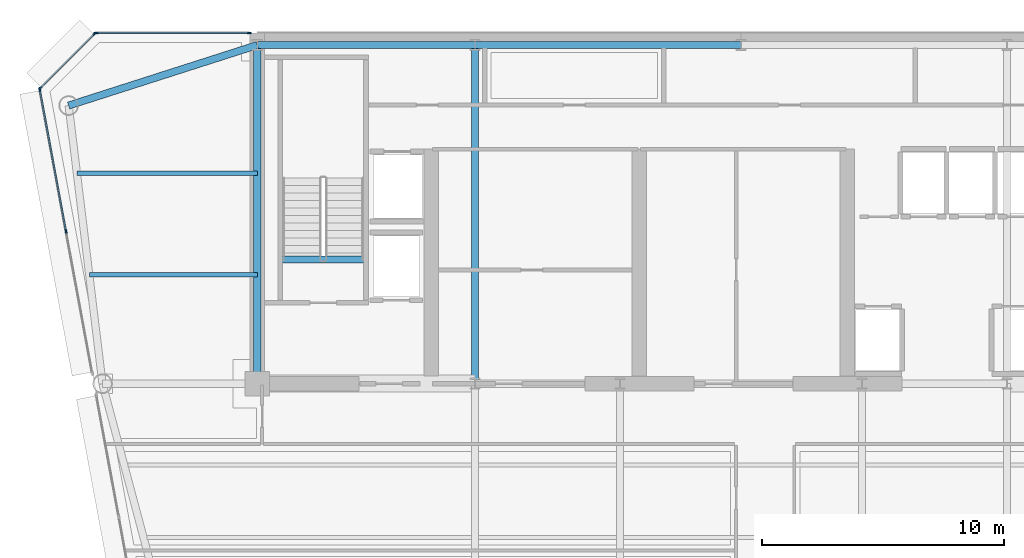
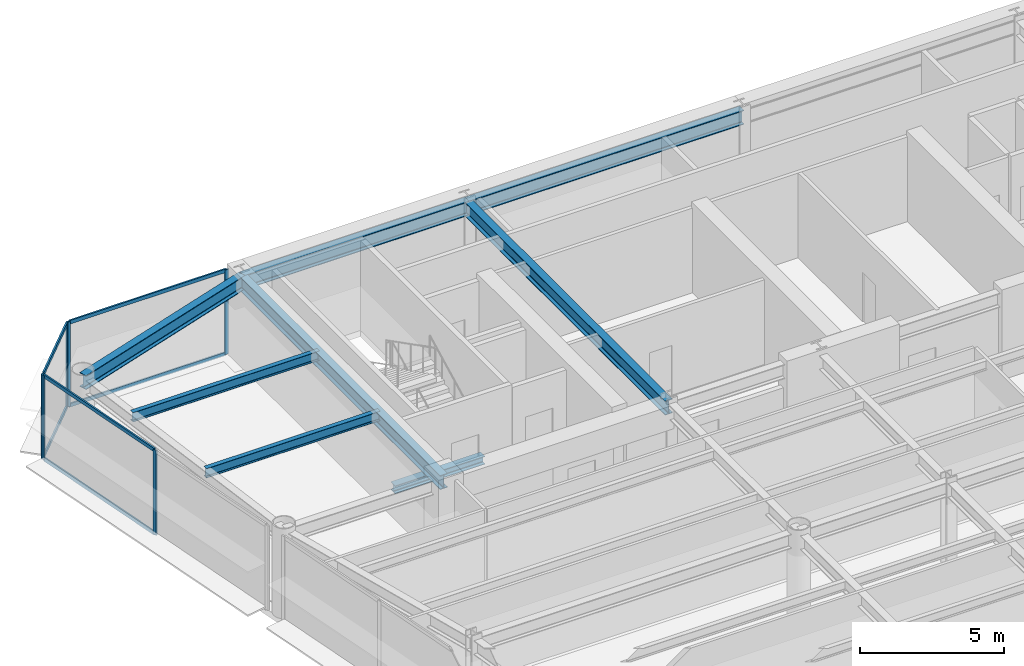
# One storey, part 8 of 16: 12 members, 8 beams, 3 elements without a shape of their own.
"""IFC4 building model written with IfcOpenShell, lengths in metres."""

from ifc_helpers import new_model, si_unit, direction, frame, origin, origin_2d, place, context, subcontext, project, spatial, rectangle, i_section, extrude, source, transform, mapped, material, layer, layer_set, material_profile, profile_set, type_object, element, aggregate, save


model = new_model("IFC4")

# Units and contexts
model_context = context("Model", 3, precision=1e-05, world=origin(), true_north=direction((0.0, 1.0)))
body_context = subcontext(model_context, "Body", "Model", "MODEL_VIEW")
ifc_project = project(units=[si_unit("LENGTHUNIT", "METRE"), si_unit("AREAUNIT", "SQUARE_METRE"), si_unit("VOLUMEUNIT", "CUBIC_METRE"), si_unit("PLANEANGLEUNIT", "RADIAN"), si_unit("MASSUNIT", "GRAM", prefix="KILO")], contexts=[model_context])

# Site, building, storey
site_placement = place(None, origin())
site = spatial("IfcSite", under=ifc_project, at=site_placement, CompositionType="ELEMENT")
building_placement = place(site_placement, origin())
building = spatial("IfcBuilding", under=site, at=building_placement, Name="Vaeldorn Concourse Tower", CompositionType="ELEMENT")
storey_placement = place(building_placement, frame((0.0, 0.0, 223.199951171875)))
storey = spatial("IfcBuildingStorey", under=building, at=storey_placement, Name="L57", CompositionType="ELEMENT", Elevation=223.199951171875)

# Beams
ifc_material_1 = material(Name="Steel S355", Category="steel")
ifc_material_profile_1 = material_profile(ifc_material_1, i_section(OverallWidth=0.300048828125, OverallDepth=0.340087890625, WebThickness=0.011962890625, FlangeThickness=0.021484375, FilletRadius=0.027099609375, at=origin_2d()), Name="HEB 340")
ifc_profile_set_1 = profile_set([ifc_material_profile_1], Name="Steel S355")
beam_type_1 = type_object("IfcBeamType", Name="BM-ST-TRIM", PredefinedType="BEAM", material=ifc_profile_set_1)
shared_shape_1 = source(origin(), body_context, "Body", "SweptSolid", [
    extrude(i_section(OverallWidth=0.300048828125, OverallDepth=0.340087890625, WebThickness=0.011962890625, FlangeThickness=0.021484375, FilletRadius=0.027099609375, at=origin_2d()), origin(), (0.0, 0.0, 1.0), 3.590087890625),
])
beam_1_placement = place(storey_placement, frame((14.929931640625, 41.639892578125, -0.429931640625), z_axis=(1.0, 0.0, 0.0), x_axis=(0.0, 1.0, 0.0)))
element("IfcBeam", 1, at=beam_1_placement, inside=storey, type_object=beam_type_1, Name="Stair Landing Trimmer Beam ST-1 L57", PredefinedType="BEAM", context=body_context, shape_type="MappedRepresentation", body=[
    mapped(shared_shape_1, transform((0.0, 0.0, 0.0), scale=1.0)),
])
ifc_material_profile_2 = material_profile(ifc_material_1, i_section(OverallWidth=0.300048828125, OverallDepth=0.60009765625, WebThickness=0.015380859375, FlangeThickness=0.030029296875, FilletRadius=0.027099609375, at=origin_2d()), Name="HEB 600")
ifc_profile_set_2 = profile_set([ifc_material_profile_2], Name="Steel S355")
beam_type_2 = type_object("IfcBeamType", Name="BM-PG-HEB600", PredefinedType="BEAM", material=ifc_profile_set_2)
shared_shape_2 = source(origin(), body_context, "Body", "SweptSolid", [
    extrude(i_section(OverallWidth=0.300048828125, OverallDepth=0.60009765625, WebThickness=0.015380859375, FlangeThickness=0.030029296875, FilletRadius=0.027099609375, at=origin_2d()), origin(), (0.0, 0.0, 1.0), 9.0),
])
beam_2_placement = place(storey_placement, frame((14.0, 50.5, 3.280029296875), z_axis=(1.0, 0.0, 0.0), x_axis=(0.0, 1.0, 0.0)))
element("IfcBeam", 2, at=beam_2_placement, inside=storey, type_object=beam_type_2, Name="Beam BM-L57-C-HC1-C-HC2", PredefinedType="BEAM", context=body_context, shape_type="MappedRepresentation", body=[
    mapped(shared_shape_2, transform((0.0, 0.0, 0.0), scale=1.0)),
])
shared_shape_3 = source(origin(), body_context, "Body", "SweptSolid", [
    extrude(i_section(OverallWidth=0.300048828125, OverallDepth=0.60009765625, WebThickness=0.015380859375, FlangeThickness=0.030029296875, FilletRadius=0.027099609375, at=origin_2d()), origin(), (0.0, 0.0, 1.0), 11.0),
])
beam_3_placement = place(storey_placement, frame((23.0, 50.5, 3.280029296875), z_axis=(1.0, 0.0, 0.0), x_axis=(0.0, 1.0, 0.0)))
element("IfcBeam", 3, at=beam_3_placement, inside=storey, type_object=beam_type_2, Name="Beam BM-L57-C-HC2-C-HC3", PredefinedType="BEAM", context=body_context, shape_type="MappedRepresentation", body=[
    mapped(shared_shape_3, transform((0.0, 0.0, 0.0), scale=1.0)),
])
shared_shape_4 = source(origin(), body_context, "Body", "SweptSolid", [
    extrude(i_section(OverallWidth=0.300048828125, OverallDepth=0.60009765625, WebThickness=0.015380859375, FlangeThickness=0.030029296875, FilletRadius=0.027099609375, at=origin_2d()), origin(), (0.0, 0.0, 1.0), 14.0),
])
for number, where, z_axis, x_axis, name in (
    (4, (14.0, 36.5, 3.280029296875), (0.0, 1.0, 0.0), (-1.0, 0.0, 0.0), "Beam BM-L57-C-FC1-C-HC1"),
    (5, (23.0, 36.5, 3.280029296875), (0.0, 1.0, 0.0), (-1.0, 0.0, 0.0), "Beam BM-L57-C-FC2-C-HC2"),
):
    element("IfcBeam", number, at=place(storey_placement, frame(where, z_axis=z_axis, x_axis=x_axis)), inside=storey, type_object=beam_type_2, Name=name, PredefinedType="BEAM", context=body_context, shape_type="MappedRepresentation", body=[
        mapped(shared_shape_4, transform((0.0, 0.0, 0.0), scale=1.0)),
    ])
shared_shape_5 = source(origin(), body_context, "Body", "SweptSolid", [
    extrude(i_section(OverallWidth=0.300048828125, OverallDepth=0.60009765625, WebThickness=0.015380859375, FlangeThickness=0.030029296875, FilletRadius=0.027099609375, at=origin_2d()), origin(), (0.0, 0.0, 1.0), 8.19091796875),
])
beam_4_placement = place(storey_placement, frame((6.199951171875, 48.0, 3.280029296875), z_axis=(0.952282843383, 0.305216949396, 0.0), x_axis=(-0.305216949396, 0.952282843383, 0.0)))
element("IfcBeam", 6, at=beam_4_placement, inside=storey, type_object=beam_type_2, Name="Beam BM-L57-C-NW1-C-HC1", PredefinedType="BEAM", context=body_context, shape_type="MappedRepresentation", body=[
    mapped(shared_shape_5, transform((0.0, 0.0, 0.0), scale=1.0)),
])
ifc_material_profile_3 = material_profile(ifc_material_1, i_section(OverallWidth=0.179931640625, OverallDepth=0.39990234375, WebThickness=0.008544921875, FlangeThickness=0.013427734375, FilletRadius=0.02099609375, at=origin_2d()), Name="IPE 400")
ifc_profile_set_3 = profile_set([ifc_material_profile_3], Name="Steel S355")
beam_type_3 = type_object("IfcBeamType", Name="BM-JS-IPE400", PredefinedType="JOIST", material=ifc_profile_set_3)
shared_shape_6 = source(origin(), body_context, "Body", "SweptSolid", [
    extrude(i_section(OverallWidth=0.179931640625, OverallDepth=0.39990234375, WebThickness=0.008544921875, FlangeThickness=0.013427734375, FilletRadius=0.02099609375, at=origin_2d()), origin(), (0.0, 0.0, 1.0), 6.94775390625),
])
beam_5_placement = place(storey_placement, frame((7.05224609375, 41.0, 3.380126953125), z_axis=(1.0, 0.0, 0.0), x_axis=(0.0, 1.0, 0.0)))
element("IfcBeam", 7, at=beam_5_placement, inside=storey, type_object=beam_type_3, Name="Beam JS-L57-NW-410", PredefinedType="JOIST", context=body_context, shape_type="MappedRepresentation", body=[
    mapped(shared_shape_6, transform((0.0, 0.0, 0.0), scale=1.0)),
])
shared_shape_7 = source(origin(), body_context, "Body", "SweptSolid", [
    extrude(i_section(OverallWidth=0.179931640625, OverallDepth=0.39990234375, WebThickness=0.008544921875, FlangeThickness=0.013427734375, FilletRadius=0.02099609375, at=origin_2d()), origin(), (0.0, 0.0, 1.0), 7.458984375),
])
beam_6_placement = place(storey_placement, frame((6.541015625, 45.199951171875, 3.380126953125), z_axis=(1.0, 0.0, 0.0), x_axis=(0.0, 1.0, 0.0)))
element("IfcBeam", 8, at=beam_6_placement, inside=storey, type_object=beam_type_3, Name="Beam JS-L57-NW-452", PredefinedType="JOIST", context=body_context, shape_type="MappedRepresentation", body=[
    mapped(shared_shape_7, transform((0.0, 0.0, 0.0), scale=1.0)),
])

# Curtain wall, members
ifc_material_2 = material(Name="Anodised Bronze Aluminium", Category="aluminium")
ifc_layer = layer(ifc_material_2, 0.179931640625)
ifc_layer_set = layer_set([ifc_layer], Name="Anodised Bronze Aluminium")
curtain_wall_type = type_object("IfcCurtainWallType", Name="CW-SYS-05", PredefinedType="NOTDEFINED", material=ifc_layer_set)
curtain_wall_1_placement = place(storey_placement, origin())
curtain_wall_1 = element("IfcCurtainWall", 9, at=curtain_wall_1_placement, inside=storey, type_object=curtain_wall_type, Name="Unitised Curtain Wall CW-L57-E10-1", PredefinedType="NOTDEFINED")
ifc_material_profile_4 = material_profile(ifc_material_2, rectangle(XDim=0.06494140625, YDim=0.14990234375, at=origin_2d()), Name="CWT 65x150")
ifc_profile_set_4 = profile_set([ifc_material_profile_4], Name="Anodised Bronze Aluminium")
member_type_1 = type_object("IfcMemberType", Name="CWT-BRONZE-150", PredefinedType="USERDEFINED", material=ifc_profile_set_4)
shared_shape_8 = source(origin(), body_context, "Body", "SweptSolid", [
    extrude(rectangle(XDim=0.06494140625, YDim=0.14990234375, at=origin_2d()), origin(), (0.0, 0.0, 1.0), 3.123046875),
])
member_1_placement = place(storey_placement, frame((7.254150390625, 50.9541015625, 0.032470703125), z_axis=(-0.707106781187, -0.707106781187, 0.0), x_axis=(0.707106781187, -0.707106781187, 0.0)))
member_1 = element("IfcMember", 10, at=member_1_placement, type_object=member_type_1, Name="CW-05 transom 1.1", ObjectType="TRANSOM", PredefinedType="USERDEFINED", context=body_context, shape_type="MappedRepresentation", body=[
    mapped(shared_shape_8, transform((0.0, 0.0, 0.0), scale=1.0)),
])
member_2_placement = place(storey_placement, frame((7.254150390625, 50.9541015625, 3.547607421875), z_axis=(-0.707106781187, -0.707106781187, 0.0), x_axis=(0.707106781187, -0.707106781187, 0.0)))
member_2 = element("IfcMember", 11, at=member_2_placement, type_object=member_type_1, Name="CW-05 transom 1.2", ObjectType="TRANSOM", PredefinedType="USERDEFINED", context=body_context, shape_type="MappedRepresentation", body=[
    mapped(shared_shape_8, transform((0.0, 0.0, 0.0), scale=1.0)),
])

curtain_wall_2_placement = place(storey_placement, origin())
curtain_wall_2 = element("IfcCurtainWall", 12, at=curtain_wall_2_placement, inside=storey, type_object=curtain_wall_type, Name="Unitised Curtain Wall CW-L57-E09-2", PredefinedType="NOTDEFINED")
ifc_material_profile_5 = material_profile(ifc_material_2, rectangle(XDim=0.06494140625, YDim=0.169921875, at=origin_2d()), Name="CWM 65x170")
ifc_profile_set_5 = profile_set([ifc_material_profile_5], Name="Anodised Bronze Aluminium")
member_type_2 = type_object("IfcMemberType", Name="CWM-BRONZE-170", PredefinedType="MULLION", material=ifc_profile_set_5)
shared_shape_9 = source(origin(), body_context, "Body", "SweptSolid", [
    extrude(rectangle(XDim=0.06494140625, YDim=0.169921875, at=origin_2d()), origin(), (0.0, 0.0, 1.0), 3.580078125),
])
member_3_placement = place(storey_placement, frame((13.672607421875, 51.0, 0.0), z_axis=(0.0, 0.0, 1.0), x_axis=(0.0, -1.0, 0.0)))
member_3 = element("IfcMember", 13, at=member_3_placement, type_object=member_type_2, Name="CW-05 mullion 1", PredefinedType="MULLION", context=body_context, shape_type="MappedRepresentation", body=[
    mapped(shared_shape_9, transform((0.0, 0.0, 0.0), scale=1.0)),
])
member_4_placement = place(storey_placement, frame((7.33251953125, 51.0, 0.0), z_axis=(0.0, 0.0, 1.0), x_axis=(0.0, -1.0, 0.0)))
member_4 = element("IfcMember", 14, at=member_4_placement, type_object=member_type_2, Name="CW-05 mullion 2", PredefinedType="MULLION", context=body_context, shape_type="MappedRepresentation", body=[
    mapped(shared_shape_9, transform((0.0, 0.0, 0.0), scale=1.0)),
])

# Member
member_5_placement = place(storey_placement, frame((7.277099609375, 50.97705078125, 0.0), z_axis=(0.0, 0.0, 1.0), x_axis=(0.707106781187, -0.707106781187, 0.0)))
member_5 = element("IfcMember", 15, at=member_5_placement, type_object=member_type_2, Name="CW-05 mullion 1", PredefinedType="MULLION", context=body_context, shape_type="MappedRepresentation", body=[
    mapped(shared_shape_9, transform((0.0, 0.0, 0.0), scale=1.0)),
])

member_6_placement = place(storey_placement, frame((5.02294921875, 48.722900390625, 0.0), z_axis=(0.0, 0.0, 1.0), x_axis=(0.707106781187, -0.707106781187, 0.0)))
member_6 = element("IfcMember", 16, at=member_6_placement, type_object=member_type_2, Name="CW-05 mullion 2", PredefinedType="MULLION", context=body_context, shape_type="MappedRepresentation", body=[
    mapped(shared_shape_9, transform((0.0, 0.0, 0.0), scale=1.0)),
])

aggregate(curtain_wall_1, [member_5, member_6, member_1, member_2])

# Curtain wall, members
curtain_wall_3_placement = place(storey_placement, origin())
curtain_wall_3 = element("IfcCurtainWall", 17, at=curtain_wall_3_placement, inside=storey, type_object=curtain_wall_type, Name="Unitised Curtain Wall CW-L57-E11-1", PredefinedType="NOTDEFINED")
member_7_placement = place(storey_placement, frame((5.005859375, 48.66796875, 0.0), z_axis=(0.0, 0.0, 1.0), x_axis=(0.983319270992, 0.181887908602, 0.0)))
member_7 = element("IfcMember", 18, at=member_7_placement, type_object=member_type_2, Name="CW-05 mullion 1", PredefinedType="MULLION", context=body_context, shape_type="MappedRepresentation", body=[
    mapped(shared_shape_9, transform((0.0, 0.0, 0.0), scale=1.0)),
])
member_8_placement = place(storey_placement, frame((6.091796875, 42.7978515625, 0.0), z_axis=(0.0, 0.0, 1.0), x_axis=(0.983319270992, 0.181887908602, 0.0)))
member_8 = element("IfcMember", 19, at=member_8_placement, type_object=member_type_2, Name="CW-05 mullion 2", PredefinedType="MULLION", context=body_context, shape_type="MappedRepresentation", body=[
    mapped(shared_shape_9, transform((0.0, 0.0, 0.0), scale=1.0)),
])

# Member
shared_shape_10 = source(origin(), body_context, "Body", "SweptSolid", [
    extrude(rectangle(XDim=0.06494140625, YDim=0.14990234375, at=origin_2d()), origin(), (0.0, 0.0, 1.0), 6.27490234375),
])
member_9_placement = place(storey_placement, frame((13.639892578125, 51.0, 0.032470703125), z_axis=(-1.0, 0.0, 0.0), x_axis=(0.0, -1.0, 0.0)))
member_9 = element("IfcMember", 20, at=member_9_placement, type_object=member_type_1, Name="CW-05 transom 1.1", ObjectType="TRANSOM", PredefinedType="USERDEFINED", context=body_context, shape_type="MappedRepresentation", body=[
    mapped(shared_shape_10, transform((0.0, 0.0, 0.0), scale=1.0)),
])

member_10_placement = place(storey_placement, frame((13.639892578125, 51.0, 3.547607421875), z_axis=(-1.0, 0.0, 0.0), x_axis=(0.0, -1.0, 0.0)))
member_10 = element("IfcMember", 21, at=member_10_placement, type_object=member_type_1, Name="CW-05 transom 1.2", ObjectType="TRANSOM", PredefinedType="USERDEFINED", context=body_context, shape_type="MappedRepresentation", body=[
    mapped(shared_shape_10, transform((0.0, 0.0, 0.0), scale=1.0)),
])

aggregate(curtain_wall_2, [member_3, member_4, member_9, member_10])

shared_shape_11 = source(origin(), body_context, "Body", "SweptSolid", [
    extrude(rectangle(XDim=0.06494140625, YDim=0.14990234375, at=origin_2d()), origin(), (0.0, 0.0, 1.0), 5.90478515625),
])
member_11_placement = place(storey_placement, frame((5.01171875, 48.635986328125, 0.032470703125), z_axis=(0.181926392545, -0.983312151707, 0.0), x_axis=(0.983312151707, 0.181926392545, 0.0)))
member_11 = element("IfcMember", 22, at=member_11_placement, type_object=member_type_1, Name="CW-05 transom 1.1", ObjectType="TRANSOM", PredefinedType="USERDEFINED", context=body_context, shape_type="MappedRepresentation", body=[
    mapped(shared_shape_11, transform((0.0, 0.0, 0.0), scale=1.0)),
])

member_12_placement = place(storey_placement, frame((5.01171875, 48.635986328125, 3.547607421875), z_axis=(0.181926392545, -0.983312151707, 0.0), x_axis=(0.983312151707, 0.181926392545, 0.0)))
member_12 = element("IfcMember", 23, at=member_12_placement, type_object=member_type_1, Name="CW-05 transom 1.2", ObjectType="TRANSOM", PredefinedType="USERDEFINED", context=body_context, shape_type="MappedRepresentation", body=[
    mapped(shared_shape_11, transform((0.0, 0.0, 0.0), scale=1.0)),
])

aggregate(curtain_wall_3, [member_7, member_8, member_11, member_12])

save(model, "model.ifc")
